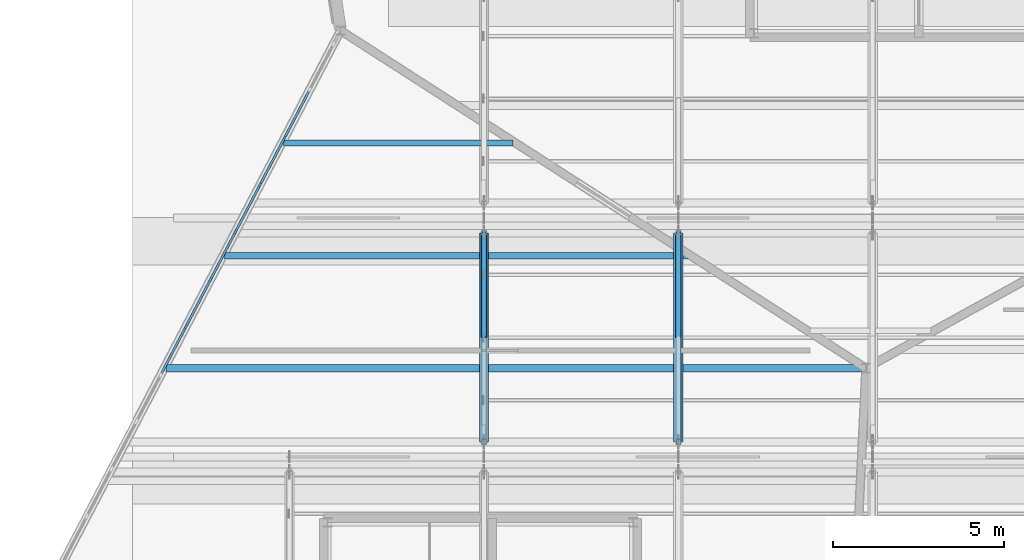
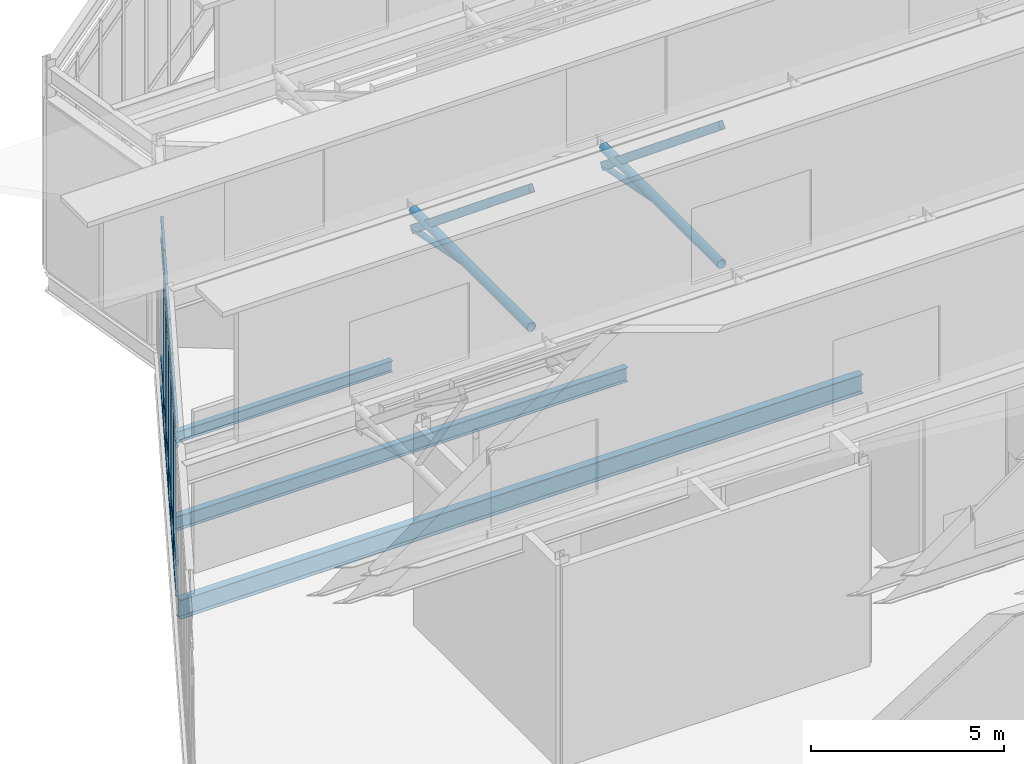
# One storey, part 25 of 55: 35 members, 3 beams, 1 element without a shape of its own.
"""IFC4 building model written with IfcOpenShell, lengths in metres."""

from ifc_helpers import new_model, si_unit, direction, frame, origin, origin_2d, place, context, subcontext, project, spatial, rectangle, hollow_rectangle, hollow_circle, i_section, extrude, material, material_profile, profile_set, type_object, element, aggregate, save


model = new_model("IFC4")

# Units and contexts
model_context = context("Model", 3, precision=1e-05, world=origin(), true_north=direction((0.0, 1.0)))
body_context = subcontext(model_context, "Body", "Model", "MODEL_VIEW")
ifc_project = project(units=[si_unit("LENGTHUNIT", "METRE"), si_unit("AREAUNIT", "SQUARE_METRE"), si_unit("VOLUMEUNIT", "CUBIC_METRE"), si_unit("PLANEANGLEUNIT", "RADIAN"), si_unit("MASSUNIT", "GRAM", prefix="KILO")], contexts=[model_context])

# Site, building, storey
site_placement = place(None, origin())
site = spatial("IfcSite", under=ifc_project, at=site_placement, CompositionType="ELEMENT")
building_placement = place(site_placement, origin())
building = spatial("IfcBuilding", under=site, at=building_placement, Name="Tameran Prism Museum", CompositionType="ELEMENT")
storey_placement = place(building_placement, frame((0.0, 0.0, 28.800048828125)))
storey = spatial("IfcBuildingStorey", under=building, at=storey_placement, Name="L05", CompositionType="ELEMENT", Elevation=28.800048828125)

# Beams
ifc_material_1 = material(Name="Steel Grade 300PLUS (300 MPa)", Category="steel")
ifc_material_profile_1 = material_profile(ifc_material_1, i_section(OverallWidth=0.1708984375, OverallDepth=0.35595703125, WebThickness=0.00732421875, FlangeThickness=0.011474609375, FilletRadius=0.011474609375, at=origin_2d()))
ifc_profile_set_1 = profile_set([ifc_material_profile_1])
beam_type_1 = type_object("IfcBeamType", Name="BM-J360B", PredefinedType="JOIST", material=ifc_profile_set_1)
beam_1_placement = place(storey_placement, frame((101.720947265625, 95.699951171875, -0.41796875), z_axis=(1.0, 0.0, 0.0), x_axis=(0.0, 1.0, 0.0)))
element("IfcBeam", 1, at=beam_1_placement, inside=storey, type_object=beam_type_1, Name="Floor Beam BM-1292", PredefinedType="JOIST", context=body_context, shape_type="SweptSolid", body=[
    extrude(i_section(OverallWidth=0.1708984375, OverallDepth=0.35595703125, WebThickness=0.00732421875, FlangeThickness=0.011474609375, FilletRadius=0.011474609375, at=origin_2d()), origin(), (0.0, 0.0, 1.0), 6.738037109375),
])
ifc_material_2 = material(Name="Steel Grade 300PLUS (300 MPa)", Category="steel")
ifc_material_profile_2 = material_profile(ifc_material_2, i_section(OverallWidth=0.18994140625, OverallDepth=0.4541015625, WebThickness=0.008544921875, FlangeThickness=0.0126953125, FilletRadius=0.011474609375, at=origin_2d()))
ifc_profile_set_2 = profile_set([ifc_material_profile_2])
beam_type_2 = type_object("IfcBeamType", Name="BM-J460B", PredefinedType="JOIST", material=ifc_profile_set_2)
beam_2_placement = place(storey_placement, frame((99.9970703125, 92.39990234375, -0.467041015625), z_axis=(1.0, 0.0, 0.0), x_axis=(0.0, 1.0, 0.0)))
element("IfcBeam", 2, at=beam_2_placement, inside=storey, type_object=beam_type_2, Name="Floor Beam BM-1291", PredefinedType="JOIST", context=body_context, shape_type="SweptSolid", body=[
    extrude(i_section(OverallWidth=0.18994140625, OverallDepth=0.4541015625, WebThickness=0.008544921875, FlangeThickness=0.0126953125, FilletRadius=0.011474609375, at=origin_2d()), origin(), (0.0, 0.0, 1.0), 13.595947265625),
])
ifc_material_3 = material(Name="Steel Grade 300PLUS (300 MPa)", Category="steel")
ifc_material_profile_3 = material_profile(ifc_material_3, i_section(OverallWidth=0.22802734375, OverallDepth=0.60693359375, WebThickness=0.01123046875, FlangeThickness=0.017333984375, FilletRadius=0.013916015625, at=origin_2d()))
ifc_profile_set_3 = profile_set([ifc_material_profile_3])
beam_type_3 = type_object("IfcBeamType", Name="BM-UB610B", PredefinedType="BEAM", material=ifc_profile_set_3)
beam_3_placement = place(storey_placement, frame((98.27294921875, 89.10009765625, -0.54345703125), z_axis=(1.0, 0.0, 0.0), x_axis=(0.0, 1.0, 0.0)))
element("IfcBeam", 3, at=beam_3_placement, inside=storey, type_object=beam_type_3, Name="Floor Beam BM-1290", PredefinedType="BEAM", context=body_context, shape_type="SweptSolid", body=[
    extrude(i_section(OverallWidth=0.22802734375, OverallDepth=0.60693359375, WebThickness=0.01123046875, FlangeThickness=0.017333984375, FilletRadius=0.013916015625, at=origin_2d()), origin(), (0.0, 0.0, 1.0), 20.453125),
])

# Curtain wall, members
ifc_material_4 = material(Name="Anodised Aluminium 6063-T6 and Cyclone Solar Glass", Category="aluminium")
curtain_wall_type = type_object("IfcCurtainWallType", Name="CW-FAC-2192x542", PredefinedType="USERDEFINED", material=ifc_material_4)
curtain_wall_placement = place(storey_placement, origin())
curtain_wall = element("IfcCurtainWall", 4, at=curtain_wall_placement, inside=storey, type_object=curtain_wall_type, Name="Unitised Curtain Wall CW-164", ObjectType="UNITISED CURTAIN WALL", PredefinedType="USERDEFINED")
ifc_material_5 = material(Name="Anodised Aluminium Alloy 6063-T6", Category="aluminium")
ifc_material_profile_4 = material_profile(ifc_material_5, rectangle(XDim=0.070068359375, YDim=0.179931640625, at=origin_2d()))
ifc_profile_set_4 = profile_set([ifc_material_profile_4])
member_type_1 = type_object("IfcMemberType", Name="CW-MUL-B", PredefinedType="MULLION", material=ifc_profile_set_4)
member_1_placement = place(storey_placement, frame((98.86083984375, 90.31103515625, 0.0), z_axis=(0.0, 0.0, 1.0), x_axis=(-0.886356952612, 0.463002540551, 0.0)))
member_1 = element("IfcMember", 5, at=member_1_placement, type_object=member_type_1, Name="CW-164 mullion 9", PredefinedType="MULLION", context=body_context, shape_type="SweptSolid", body=[
    extrude(rectangle(XDim=0.070068359375, YDim=0.179931640625, at=origin_2d()), origin(), (0.0, 0.0, 1.0), 5.419921875),
])
member_2_placement = place(storey_placement, frame((99.585693359375, 91.69873046875, 0.0), z_axis=(0.0, 0.0, 1.0), x_axis=(-0.886356952612, 0.463002540551, 0.0)))
member_2 = element("IfcMember", 6, at=member_2_placement, type_object=member_type_1, Name="CW-164 mullion 10", PredefinedType="MULLION", context=body_context, shape_type="SweptSolid", body=[
    extrude(rectangle(XDim=0.070068359375, YDim=0.179931640625, at=origin_2d()), origin(), (0.0, 0.0, 1.0), 5.419921875),
])
member_3_placement = place(storey_placement, frame((100.310546875, 93.08642578125, 0.0), z_axis=(0.0, 0.0, 1.0), x_axis=(-0.886356952612, 0.463002540551, 0.0)))
member_3 = element("IfcMember", 7, at=member_3_placement, type_object=member_type_1, Name="CW-164 mullion 11", PredefinedType="MULLION", context=body_context, shape_type="SweptSolid", body=[
    extrude(rectangle(XDim=0.070068359375, YDim=0.179931640625, at=origin_2d()), origin(), (0.0, 0.0, 1.0), 5.419921875),
])
member_4_placement = place(storey_placement, frame((101.035400390625, 94.47412109375, 0.0), z_axis=(0.0, 0.0, 1.0), x_axis=(-0.886356952612, 0.463002540551, 0.0)))
member_4 = element("IfcMember", 8, at=member_4_placement, type_object=member_type_1, Name="CW-164 mullion 12", PredefinedType="MULLION", context=body_context, shape_type="SweptSolid", body=[
    extrude(rectangle(XDim=0.070068359375, YDim=0.179931640625, at=origin_2d()), origin(), (0.0, 0.0, 1.0), 5.419921875),
])
member_5_placement = place(storey_placement, frame((101.76025390625, 95.86181640625, 0.0), z_axis=(0.0, 0.0, 1.0), x_axis=(-0.886356952612, 0.463002540551, 0.0)))
member_5 = element("IfcMember", 9, at=member_5_placement, type_object=member_type_1, Name="CW-164 mullion 13", PredefinedType="MULLION", context=body_context, shape_type="SweptSolid", body=[
    extrude(rectangle(XDim=0.070068359375, YDim=0.179931640625, at=origin_2d()), origin(), (0.0, 0.0, 1.0), 5.419921875),
])
ifc_material_6 = material(Name="Anodised Aluminium Alloy 6063-T6", Category="aluminium")
ifc_material_profile_5 = material_profile(ifc_material_6, rectangle(XDim=0.070068359375, YDim=0.155029296875, at=origin_2d()))
ifc_profile_set_5 = profile_set([ifc_material_profile_5])
member_type_2 = type_object("IfcMemberType", Name="CW-TRN-B", PredefinedType="USERDEFINED", material=ifc_profile_set_5)
member_6_placement = place(storey_placement, frame((98.152099609375, 88.95458984375, 0.034912109375), z_axis=(0.463140559617, 0.886284842496, 0.0), x_axis=(-0.886284842496, 0.463140559617, 0.0)))
member_6 = element("IfcMember", 10, at=member_6_placement, type_object=member_type_2, Name="CW-164 transom 8.1", ObjectType="TRANSOM", PredefinedType="USERDEFINED", context=body_context, shape_type="SweptSolid", body=[
    extrude(rectangle(XDim=0.070068359375, YDim=0.155029296875, at=origin_2d()), origin(), (0.0, 0.0, 1.0), 1.49560546875),
])
member_7_placement = place(storey_placement, frame((98.152099609375, 88.95458984375, 1.0), z_axis=(0.463140559617, 0.886284842496, 0.0), x_axis=(-0.886284842496, 0.463140559617, 0.0)))
member_7 = element("IfcMember", 11, at=member_7_placement, type_object=member_type_2, Name="CW-164 transom 8.2", ObjectType="TRANSOM", PredefinedType="USERDEFINED", context=body_context, shape_type="SweptSolid", body=[
    extrude(rectangle(XDim=0.070068359375, YDim=0.155029296875, at=origin_2d()), origin(), (0.0, 0.0, 1.0), 1.49560546875),
])
member_8_placement = place(storey_placement, frame((98.152099609375, 88.95458984375, 4.739990234375), z_axis=(0.463140559617, 0.886284842496, 0.0), x_axis=(-0.886284842496, 0.463140559617, 0.0)))
member_8 = element("IfcMember", 12, at=member_8_placement, type_object=member_type_2, Name="CW-164 transom 8.3", ObjectType="TRANSOM", PredefinedType="USERDEFINED", context=body_context, shape_type="SweptSolid", body=[
    extrude(rectangle(XDim=0.070068359375, YDim=0.155029296875, at=origin_2d()), origin(), (0.0, 0.0, 1.0), 1.49560546875),
])
member_9_placement = place(storey_placement, frame((98.152099609375, 88.95458984375, 5.385009765625), z_axis=(0.463140559617, 0.886284842496, 0.0), x_axis=(-0.886284842496, 0.463140559617, 0.0)))
member_9 = element("IfcMember", 13, at=member_9_placement, type_object=member_type_2, Name="CW-164 transom 8.4", ObjectType="TRANSOM", PredefinedType="USERDEFINED", context=body_context, shape_type="SweptSolid", body=[
    extrude(rectangle(XDim=0.070068359375, YDim=0.155029296875, at=origin_2d()), origin(), (0.0, 0.0, 1.0), 1.49560546875),
])
member_10_placement = place(storey_placement, frame((98.876953125, 90.34228515625, 0.034912109375), z_axis=(0.463140559617, 0.886284842496, 0.0), x_axis=(-0.886284842496, 0.463140559617, 0.0)))
member_10 = element("IfcMember", 14, at=member_10_placement, type_object=member_type_2, Name="CW-164 transom 9.1", ObjectType="TRANSOM", PredefinedType="USERDEFINED", context=body_context, shape_type="SweptSolid", body=[
    extrude(rectangle(XDim=0.070068359375, YDim=0.155029296875, at=origin_2d()), origin(), (0.0, 0.0, 1.0), 1.49560546875),
])
member_11_placement = place(storey_placement, frame((98.876953125, 90.34228515625, 1.0), z_axis=(0.463140559617, 0.886284842496, 0.0), x_axis=(-0.886284842496, 0.463140559617, 0.0)))
member_11 = element("IfcMember", 15, at=member_11_placement, type_object=member_type_2, Name="CW-164 transom 9.2", ObjectType="TRANSOM", PredefinedType="USERDEFINED", context=body_context, shape_type="SweptSolid", body=[
    extrude(rectangle(XDim=0.070068359375, YDim=0.155029296875, at=origin_2d()), origin(), (0.0, 0.0, 1.0), 1.49560546875),
])
member_12_placement = place(storey_placement, frame((98.876953125, 90.34228515625, 4.739990234375), z_axis=(0.463140559617, 0.886284842496, 0.0), x_axis=(-0.886284842496, 0.463140559617, 0.0)))
member_12 = element("IfcMember", 16, at=member_12_placement, type_object=member_type_2, Name="CW-164 transom 9.3", ObjectType="TRANSOM", PredefinedType="USERDEFINED", context=body_context, shape_type="SweptSolid", body=[
    extrude(rectangle(XDim=0.070068359375, YDim=0.155029296875, at=origin_2d()), origin(), (0.0, 0.0, 1.0), 1.49560546875),
])
member_13_placement = place(storey_placement, frame((98.876953125, 90.34228515625, 5.385009765625), z_axis=(0.463140559617, 0.886284842496, 0.0), x_axis=(-0.886284842496, 0.463140559617, 0.0)))
member_13 = element("IfcMember", 17, at=member_13_placement, type_object=member_type_2, Name="CW-164 transom 9.4", ObjectType="TRANSOM", PredefinedType="USERDEFINED", context=body_context, shape_type="SweptSolid", body=[
    extrude(rectangle(XDim=0.070068359375, YDim=0.155029296875, at=origin_2d()), origin(), (0.0, 0.0, 1.0), 1.49560546875),
])
member_14_placement = place(storey_placement, frame((99.601806640625, 91.729736328125, 0.034912109375), z_axis=(0.463073557988, 0.886319851912, 0.0), x_axis=(-0.886319851912, 0.463073557988, 0.0)))
member_14 = element("IfcMember", 18, at=member_14_placement, type_object=member_type_2, Name="CW-164 transom 10.1", ObjectType="TRANSOM", PredefinedType="USERDEFINED", context=body_context, shape_type="SweptSolid", body=[
    extrude(rectangle(XDim=0.070068359375, YDim=0.155029296875, at=origin_2d()), origin(), (0.0, 0.0, 1.0), 1.49560546875),
])
member_15_placement = place(storey_placement, frame((99.601806640625, 91.729736328125, 1.0), z_axis=(0.463073557988, 0.886319851912, 0.0), x_axis=(-0.886319851912, 0.463073557988, 0.0)))
member_15 = element("IfcMember", 19, at=member_15_placement, type_object=member_type_2, Name="CW-164 transom 10.2", ObjectType="TRANSOM", PredefinedType="USERDEFINED", context=body_context, shape_type="SweptSolid", body=[
    extrude(rectangle(XDim=0.070068359375, YDim=0.155029296875, at=origin_2d()), origin(), (0.0, 0.0, 1.0), 1.49560546875),
])
member_16_placement = place(storey_placement, frame((99.601806640625, 91.729736328125, 4.739990234375), z_axis=(0.463073557988, 0.886319851912, 0.0), x_axis=(-0.886319851912, 0.463073557988, 0.0)))
member_16 = element("IfcMember", 20, at=member_16_placement, type_object=member_type_2, Name="CW-164 transom 10.3", ObjectType="TRANSOM", PredefinedType="USERDEFINED", context=body_context, shape_type="SweptSolid", body=[
    extrude(rectangle(XDim=0.070068359375, YDim=0.155029296875, at=origin_2d()), origin(), (0.0, 0.0, 1.0), 1.49560546875),
])
member_17_placement = place(storey_placement, frame((99.601806640625, 91.729736328125, 5.385009765625), z_axis=(0.463073557988, 0.886319851912, 0.0), x_axis=(-0.886319851912, 0.463073557988, 0.0)))
member_17 = element("IfcMember", 21, at=member_17_placement, type_object=member_type_2, Name="CW-164 transom 10.4", ObjectType="TRANSOM", PredefinedType="USERDEFINED", context=body_context, shape_type="SweptSolid", body=[
    extrude(rectangle(XDim=0.070068359375, YDim=0.155029296875, at=origin_2d()), origin(), (0.0, 0.0, 1.0), 1.49560546875),
])
member_18_placement = place(storey_placement, frame((100.32666015625, 93.117431640625, 0.034912109375), z_axis=(0.463073557988, 0.886319851912, 0.0), x_axis=(-0.886319851912, 0.463073557988, 0.0)))
member_18 = element("IfcMember", 22, at=member_18_placement, type_object=member_type_2, Name="CW-164 transom 11.1", ObjectType="TRANSOM", PredefinedType="USERDEFINED", context=body_context, shape_type="SweptSolid", body=[
    extrude(rectangle(XDim=0.070068359375, YDim=0.155029296875, at=origin_2d()), origin(), (0.0, 0.0, 1.0), 1.49560546875),
])
member_19_placement = place(storey_placement, frame((100.32666015625, 93.117431640625, 1.0), z_axis=(0.463073557988, 0.886319851912, 0.0), x_axis=(-0.886319851912, 0.463073557988, 0.0)))
member_19 = element("IfcMember", 23, at=member_19_placement, type_object=member_type_2, Name="CW-164 transom 11.2", ObjectType="TRANSOM", PredefinedType="USERDEFINED", context=body_context, shape_type="SweptSolid", body=[
    extrude(rectangle(XDim=0.070068359375, YDim=0.155029296875, at=origin_2d()), origin(), (0.0, 0.0, 1.0), 1.49560546875),
])
member_20_placement = place(storey_placement, frame((100.32666015625, 93.117431640625, 4.739990234375), z_axis=(0.463073557988, 0.886319851912, 0.0), x_axis=(-0.886319851912, 0.463073557988, 0.0)))
member_20 = element("IfcMember", 24, at=member_20_placement, type_object=member_type_2, Name="CW-164 transom 11.3", ObjectType="TRANSOM", PredefinedType="USERDEFINED", context=body_context, shape_type="SweptSolid", body=[
    extrude(rectangle(XDim=0.070068359375, YDim=0.155029296875, at=origin_2d()), origin(), (0.0, 0.0, 1.0), 1.49560546875),
])
member_21_placement = place(storey_placement, frame((100.32666015625, 93.117431640625, 5.385009765625), z_axis=(0.463073557988, 0.886319851912, 0.0), x_axis=(-0.886319851912, 0.463073557988, 0.0)))
member_21 = element("IfcMember", 25, at=member_21_placement, type_object=member_type_2, Name="CW-164 transom 11.4", ObjectType="TRANSOM", PredefinedType="USERDEFINED", context=body_context, shape_type="SweptSolid", body=[
    extrude(rectangle(XDim=0.070068359375, YDim=0.155029296875, at=origin_2d()), origin(), (0.0, 0.0, 1.0), 1.49560546875),
])
member_22_placement = place(storey_placement, frame((101.051513671875, 94.505126953125, 0.034912109375), z_axis=(0.463073557988, 0.886319851912, 0.0), x_axis=(-0.886319851912, 0.463073557988, 0.0)))
member_22 = element("IfcMember", 26, at=member_22_placement, type_object=member_type_2, Name="CW-164 transom 12.1", ObjectType="TRANSOM", PredefinedType="USERDEFINED", context=body_context, shape_type="SweptSolid", body=[
    extrude(rectangle(XDim=0.070068359375, YDim=0.155029296875, at=origin_2d()), origin(), (0.0, 0.0, 1.0), 1.49560546875),
])
member_23_placement = place(storey_placement, frame((101.051513671875, 94.505126953125, 1.0), z_axis=(0.463073557988, 0.886319851912, 0.0), x_axis=(-0.886319851912, 0.463073557988, 0.0)))
member_23 = element("IfcMember", 27, at=member_23_placement, type_object=member_type_2, Name="CW-164 transom 12.2", ObjectType="TRANSOM", PredefinedType="USERDEFINED", context=body_context, shape_type="SweptSolid", body=[
    extrude(rectangle(XDim=0.070068359375, YDim=0.155029296875, at=origin_2d()), origin(), (0.0, 0.0, 1.0), 1.49560546875),
])
member_24_placement = place(storey_placement, frame((101.051513671875, 94.505126953125, 4.739990234375), z_axis=(0.463073557988, 0.886319851912, 0.0), x_axis=(-0.886319851912, 0.463073557988, 0.0)))
member_24 = element("IfcMember", 28, at=member_24_placement, type_object=member_type_2, Name="CW-164 transom 12.3", ObjectType="TRANSOM", PredefinedType="USERDEFINED", context=body_context, shape_type="SweptSolid", body=[
    extrude(rectangle(XDim=0.070068359375, YDim=0.155029296875, at=origin_2d()), origin(), (0.0, 0.0, 1.0), 1.49560546875),
])
member_25_placement = place(storey_placement, frame((101.051513671875, 94.505126953125, 5.385009765625), z_axis=(0.463073557988, 0.886319851912, 0.0), x_axis=(-0.886319851912, 0.463073557988, 0.0)))
member_25 = element("IfcMember", 29, at=member_25_placement, type_object=member_type_2, Name="CW-164 transom 12.4", ObjectType="TRANSOM", PredefinedType="USERDEFINED", context=body_context, shape_type="SweptSolid", body=[
    extrude(rectangle(XDim=0.070068359375, YDim=0.155029296875, at=origin_2d()), origin(), (0.0, 0.0, 1.0), 1.49560546875),
])
member_26_placement = place(storey_placement, frame((101.776611328125, 95.892822265625, 0.034912109375), z_axis=(0.463012311979, 0.886351848284, 0.0), x_axis=(-0.886351848284, 0.463012311979, 0.0)))
member_26 = element("IfcMember", 30, at=member_26_placement, type_object=member_type_2, Name="CW-164 transom 13.1", ObjectType="TRANSOM", PredefinedType="USERDEFINED", context=body_context, shape_type="SweptSolid", body=[
    extrude(rectangle(XDim=0.070068359375, YDim=0.155029296875, at=origin_2d()), origin(), (0.0, 0.0, 1.0), 1.495361328125),
])
member_27_placement = place(storey_placement, frame((101.776611328125, 95.892822265625, 1.0), z_axis=(0.463012311979, 0.886351848284, 0.0), x_axis=(-0.886351848284, 0.463012311979, 0.0)))
member_27 = element("IfcMember", 31, at=member_27_placement, type_object=member_type_2, Name="CW-164 transom 13.2", ObjectType="TRANSOM", PredefinedType="USERDEFINED", context=body_context, shape_type="SweptSolid", body=[
    extrude(rectangle(XDim=0.070068359375, YDim=0.155029296875, at=origin_2d()), origin(), (0.0, 0.0, 1.0), 1.495361328125),
])
member_28_placement = place(storey_placement, frame((101.776611328125, 95.892822265625, 4.739990234375), z_axis=(0.463012311979, 0.886351848284, 0.0), x_axis=(-0.886351848284, 0.463012311979, 0.0)))
member_28 = element("IfcMember", 32, at=member_28_placement, type_object=member_type_2, Name="CW-164 transom 13.3", ObjectType="TRANSOM", PredefinedType="USERDEFINED", context=body_context, shape_type="SweptSolid", body=[
    extrude(rectangle(XDim=0.070068359375, YDim=0.155029296875, at=origin_2d()), origin(), (0.0, 0.0, 1.0), 1.495361328125),
])
member_29_placement = place(storey_placement, frame((101.776611328125, 95.892822265625, 5.385009765625), z_axis=(0.463012311979, 0.886351848284, 0.0), x_axis=(-0.886351848284, 0.463012311979, 0.0)))
member_29 = element("IfcMember", 33, at=member_29_placement, type_object=member_type_2, Name="CW-164 transom 13.4", ObjectType="TRANSOM", PredefinedType="USERDEFINED", context=body_context, shape_type="SweptSolid", body=[
    extrude(rectangle(XDim=0.070068359375, YDim=0.155029296875, at=origin_2d()), origin(), (0.0, 0.0, 1.0), 1.495361328125),
])
aggregate(curtain_wall, [member_1, member_2, member_3, member_4, member_5, member_6, member_7, member_8, member_9, member_10, member_11, member_12, member_13, member_14, member_15, member_16, member_17, member_18, member_19, member_20, member_21, member_22, member_23, member_24, member_25, member_26, member_27, member_28, member_29])

# Members
ifc_material_7 = material(Name="Steel Grade C350L0 (350 MPa)", Category="steel")
ifc_material_profile_6 = material_profile(ifc_material_7, hollow_circle(Radius=0.084228515625, WallThickness=0.007080078125, at=origin_2d()))
ifc_profile_set_6 = profile_set([ifc_material_profile_6])
member_type_3 = type_object("IfcMemberType", Name="MM-BR-CHS168", PredefinedType="BRACE", material=ifc_profile_set_6)
for number, where, z_axis, x_axis, name in (
    (34, (107.60009765625, 90.0, 6.385986328125), (0.0, 0.981426640065, -0.191837822575), (-1.0, 0.0, 0.0), "Sawtooth Brace STM-0083"),
    (35, (113.300048828125, 90.0, 6.385986328125), (0.0, 0.981426640065, -0.191837822575), (-1.0, 0.0, 0.0), "Sawtooth Brace STM-0090"),
):
    element("IfcMember", number, at=place(storey_placement, frame(where, z_axis=z_axis, x_axis=x_axis)), inside=storey, type_object=member_type_3, Name=name, PredefinedType="BRACE", context=body_context, shape_type="SweptSolid", body=[
        extrude(hollow_circle(Radius=0.084228515625, WallThickness=0.007080078125, at=origin_2d()), origin(), (0.0, 0.0, 1.0), 3.117919921875),
    ])
ifc_material_8 = material(Name="Steel Grade C350L0 (350 MPa)", Category="steel")
ifc_material_profile_7 = material_profile(ifc_material_8, hollow_circle(Radius=0.136474609375, WallThickness=0.00927734375, at=origin_2d()))
ifc_profile_set_7 = profile_set([ifc_material_profile_7])
member_type_4 = type_object("IfcMemberType", Name="MM-CH-CHS273", PredefinedType="CHORD", material=ifc_profile_set_7)
for number, where, z_axis, x_axis, name in (
    (36, (107.60009765625, 86.93994140625, 6.385986328125), (0.0, 1.0, 0.0), (-1.0, 0.0, 0.0), "Sawtooth Chord STM-0078"),
    (37, (113.300048828125, 86.93994140625, 6.385986328125), (0.0, 1.0, 0.0), (-1.0, 0.0, 0.0), "Sawtooth Chord STM-0085"),
):
    element("IfcMember", number, at=place(storey_placement, frame(where, z_axis=z_axis, x_axis=x_axis)), inside=storey, type_object=member_type_4, Name=name, PredefinedType="CHORD", context=body_context, shape_type="SweptSolid", body=[
        extrude(hollow_circle(Radius=0.136474609375, WallThickness=0.00927734375, at=origin_2d()), origin(), (0.0, 0.0, 1.0), 6.1201171875),
    ])
ifc_material_9 = material(Name="Steel Grade C350L0 (350 MPa)", Category="steel")
ifc_material_profile_8 = material_profile(ifc_material_9, hollow_rectangle(XDim=0.14990234375, YDim=0.25, WallThickness=0.009033203125, InnerFilletRadius=0.013427734375, OuterFilletRadius=0.0224609375, at=origin_2d()))
ifc_profile_set_8 = profile_set([ifc_material_profile_8])
member_type_5 = type_object("IfcMemberType", Name="MM-RF-RHS250", PredefinedType="RAFTER", material=ifc_profile_set_8)
for number, where, z_axis, x_axis, name in (
    (38, (107.60009765625, 86.93994140625, 10.787841796875), (0.0, 0.774414062505, -0.632679112817), (-1.0, 0.0, 0.0), "Sawtooth Rafter STM-0079"),
    (39, (113.300048828125, 86.93994140625, 10.787841796875), (0.0, 0.774414062505, -0.632679112817), (-1.0, 0.0, 0.0), "Sawtooth Rafter STM-0086"),
):
    element("IfcMember", number, at=place(storey_placement, frame(where, z_axis=z_axis, x_axis=x_axis)), inside=storey, type_object=member_type_5, Name=name, PredefinedType="RAFTER", context=body_context, shape_type="SweptSolid", body=[
        extrude(hollow_rectangle(XDim=0.14990234375, YDim=0.25, WallThickness=0.009033203125, InnerFilletRadius=0.013427734375, OuterFilletRadius=0.0224609375, at=origin_2d()), origin(), (0.0, 0.0, 1.0), 7.90283203125),
    ])

save(model, "model.ifc")
